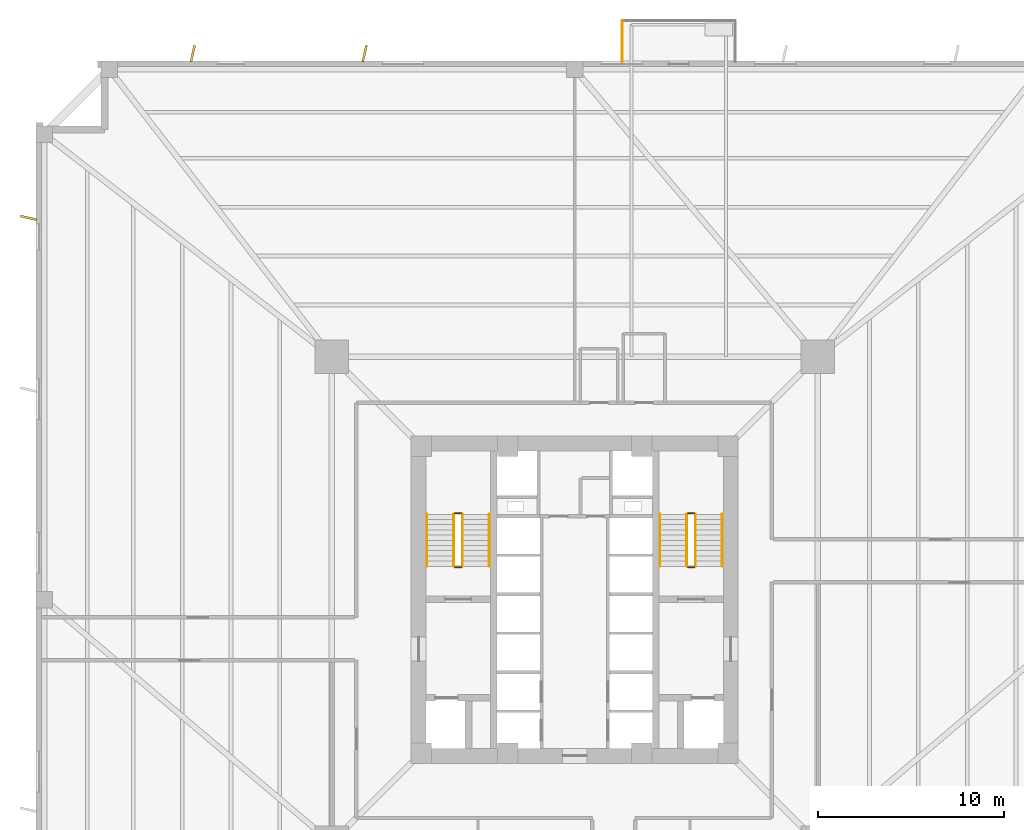
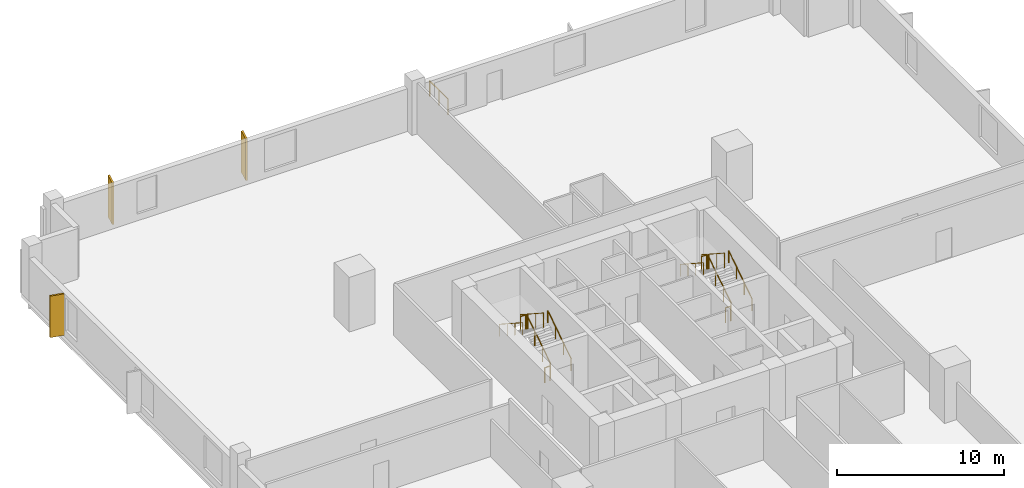
# One storey, part 7 of 8: 13 railings, 3 coverings.
"""IFC4 building model written with IfcOpenShell, lengths in metres."""

from ifc_helpers import new_model, si_unit, direction, frame, origin, origin_2d, place, context, subcontext, project, spatial, rectangle, circle, extrude, source, transform, mapped, material, layer, layer_set, type_object, element, save


model = new_model("IFC4")

# Units and contexts
model_context = context("Model", 3, precision=1e-05, world=origin(), true_north=direction((0.0, 1.0)))
body_context = subcontext(model_context, "Body", "Model", "MODEL_VIEW")
ifc_project = project(units=[si_unit("LENGTHUNIT", "METRE"), si_unit("AREAUNIT", "SQUARE_METRE"), si_unit("VOLUMEUNIT", "CUBIC_METRE"), si_unit("PLANEANGLEUNIT", "RADIAN"), si_unit("MASSUNIT", "GRAM", prefix="KILO"), si_unit("THERMODYNAMICTEMPERATUREUNIT", "KELVIN")], contexts=[model_context])

# Site, building, storey
site_placement = place(None, origin())
site = spatial("IfcSite", under=ifc_project, at=site_placement, CompositionType="ELEMENT")
building_placement = place(site_placement, origin())
building = spatial("IfcBuilding", under=site, at=building_placement, Name="Kosmvard Interchange Tower", CompositionType="ELEMENT")
storey_placement = place(building_placement, frame((0.0, 0.0, 54.0)))
storey = spatial("IfcBuildingStorey", under=building, at=storey_placement, Name="L12", CompositionType="ELEMENT", Elevation=54.0)

# Railing
ifc_material_1 = material(Name="Steel S355", Category="steel")
railing_type_1 = type_object("IfcRailingType", Name="Observation & Balcony Glass-Infill Balustrade 1150", PredefinedType="BALUSTRADE", material=ifc_material_1)
shared_shape_1 = source(origin(), body_context, "Body", "SweptSolid", [
    extrude(circle(Radius=0.02392578125, at=origin_2d()), frame((0.0, 0.0, 1.1259765625), z_axis=(0.0, -1.0, 0.0), x_axis=(1.0, 0.0, 0.0)), (0.0, 0.0, 1.0), 2.199951171875),
    extrude(circle(Radius=0.02099609375, at=origin_2d()), origin(), (0.0, 0.0, 1.0), 1.101806640625),
    extrude(circle(Radius=0.02099609375, at=origin_2d()), frame((0.0, -1.10009765625, 0.0)), (0.0, 0.0, 1.0), 1.101806640625),
    extrude(circle(Radius=0.02099609375, at=origin_2d()), frame((0.0, -2.199951171875, 0.0)), (0.0, 0.0, 1.0), 1.101806640625),
])
railing_placement = place(storey_placement, frame((2.550048828125, 31.14990234375, 0.0)))
element("IfcRailing", 1, at=railing_placement, inside=storey, type_object=railing_type_1, Name="L12 Outdoor Terrace Guard BAL-L12-N-C", PredefinedType="BALUSTRADE", context=body_context, shape_type="MappedRepresentation", body=[
    mapped(shared_shape_1, transform((0.0, 0.0, 0.0), scale=1.0)),
])

# Coverings
ifc_material_2 = material(Name="Architectural anodised aluminium", Category="aluminium")
ifc_layer = layer(ifc_material_2, 0.1201171875, Name="Architectural anodised aluminium")
ifc_layer_set = layer_set([ifc_layer], Name="Architectural anodised aluminium")
covering_type = type_object("IfcCoveringType", Name="Rotating Vertical Sun-Breaker Fin 900x120 Aluminium", PredefinedType="CLADDING", material=ifc_layer_set)
shared_shape_2 = source(origin(), body_context, "Body", "SweptSolid", [
    extrude(rectangle(XDim=0.89990234375, YDim=0.1201171875, at=origin_2d()), origin(), (0.0, 0.0, 1.0), 3.0400390625),
])
for number, where, z_axis, x_axis, name in (
    (2, (-11.3037109375, 29.39990234375, 0.0400390625), (0.0, 0.0, 1.0), (0.222399391499, 0.974955645484, 0.0), "L12 Rotating Vertical Sun-Breaker Fin 11"),
    (3, (-20.552001953125, 29.39990234375, 0.0400390625), (0.0, 0.0, 1.0), (0.222399391499, 0.974955645484, 0.0), "L12 Rotating Vertical Sun-Breaker Fin 12"),
    (4, (-29.39990234375, 20.552001953125, 0.0400390625), (0.0, 0.0, 1.0), (-0.974955645484, 0.222399391499, 0.0), "L12 Rotating Vertical Sun-Breaker Fin 13"),
):
    element("IfcCovering", number, at=place(storey_placement, frame(where, z_axis=z_axis, x_axis=x_axis)), inside=storey, type_object=covering_type, Name=name, PredefinedType="CLADDING", context=body_context, shape_type="MappedRepresentation", body=[
        mapped(shared_shape_2, transform((0.0, 0.0, 0.0), scale=1.0)),
    ])

# Railings
railing_type_2 = type_object("IfcRailingType", Name="Stair & Terrace Safety Guardrail 1100 Steel", PredefinedType="GUARDRAIL", material=ifc_material_1)
shared_shape_3 = source(origin(), body_context, "Body", "SweptSolid", [
    extrude(circle(Radius=0.02392578125, at=origin_2d()), frame((0.0, 0.0, 1.076171875), z_axis=(-1.0, 0.0, 0.0), x_axis=(0.0, -1.0, 0.0)), (0.0, 0.0, 1.0), 0.35986328125),
    extrude(circle(Radius=0.02099609375, at=origin_2d()), origin(), (0.0, 0.0, 1.0), 1.052001953125),
    extrude(circle(Radius=0.02099609375, at=origin_2d()), frame((-0.35986328125, 0.0, 0.0)), (0.0, 0.0, 1.0), 1.052001953125),
])
for number, where, name in (
    (5, (-6.090087890625, 4.64990234375, 2.0), "L12 ST-1 stair guard 2"),
    (6, (-6.090087890625, 1.75, 0.0), "L12 ST-1 stair guard 4"),
    (7, (6.449951171875, 4.64990234375, 2.0), "L12 ST-2 stair guard 2"),
    (8, (6.449951171875, 1.75, 0.0), "L12 ST-2 stair guard 4"),
):
    element("IfcRailing", number, at=place(storey_placement, frame(where)), inside=storey, type_object=railing_type_2, Name=name, PredefinedType="GUARDRAIL", context=body_context, shape_type="MappedRepresentation", body=[
        mapped(shared_shape_3, transform((0.0, 0.0, 0.0), scale=1.0)),
    ])
shared_shape_4 = source(origin(), body_context, "Body", "SweptSolid", [
    extrude(circle(Radius=0.02392578125, at=origin_2d()), frame((0.0, 0.0, 1.076171875), z_axis=(0.0, 0.838705829183, 0.544584733623), x_axis=(-1.0, 0.0, 0.0)), (0.0, 0.0, 1.0), 3.338623046875),
    extrude(circle(Radius=0.02099609375, at=origin_2d()), origin(), (0.0, 0.0, 1.0), 1.052001953125),
    extrude(circle(Radius=0.02099609375, at=origin_2d()), frame((0.0, 0.933349609375, 0.60595703125)), (0.0, 0.0, 1.0), 1.052001953125),
    extrude(circle(Radius=0.02099609375, at=origin_2d()), frame((0.0, 1.86669921875, 1.212158203125)), (0.0, 0.0, 1.0), 1.052001953125),
    extrude(circle(Radius=0.02099609375, at=origin_2d()), frame((0.0, 2.800048828125, 1.818115234375)), (0.0, 0.0, 1.0), 1.052001953125),
])
for number, where, name in (
    (9, (-6.0400390625, 1.800048828125, 0.181884765625), "L12 ST-1 stair guard 1"),
    (10, (6.5, 1.800048828125, 0.181884765625), "L12 ST-2 stair guard 1"),
):
    element("IfcRailing", number, at=place(storey_placement, frame(where)), inside=storey, type_object=railing_type_2, Name=name, PredefinedType="GUARDRAIL", context=body_context, shape_type="MappedRepresentation", body=[
        mapped(shared_shape_4, transform((0.0, 0.0, 0.0), scale=1.0)),
    ])
shared_shape_5 = source(origin(), body_context, "Body", "SweptSolid", [
    extrude(circle(Radius=0.02392578125, at=origin_2d()), frame((0.0, 0.0, 1.076171875), z_axis=(0.0, -0.838705829183, 0.544584733623), x_axis=(1.0, 0.0, 0.0)), (0.0, 0.0, 1.0), 3.338623046875),
    extrude(circle(Radius=0.02099609375, at=origin_2d()), origin(), (0.0, 0.0, 1.0), 1.052001953125),
    extrude(circle(Radius=0.02099609375, at=origin_2d()), frame((0.0, -0.933349609375, 0.60595703125)), (0.0, 0.0, 1.0), 1.052001953125),
    extrude(circle(Radius=0.02099609375, at=origin_2d()), frame((0.0, -1.86669921875, 1.212158203125)), (0.0, 0.0, 1.0), 1.052001953125),
    extrude(circle(Radius=0.02099609375, at=origin_2d()), frame((0.0, -2.800048828125, 1.818115234375)), (0.0, 0.0, 1.0), 1.052001953125),
])
for number, where, name in (
    (11, (-6.5, 4.60009765625, 2.181884765625), "L12 ST-1 stair guard 3"),
    (12, (6.0400390625, 4.60009765625, 2.181884765625), "L12 ST-2 stair guard 3"),
):
    element("IfcRailing", number, at=place(storey_placement, frame(where)), inside=storey, type_object=railing_type_2, Name=name, PredefinedType="GUARDRAIL", context=body_context, shape_type="MappedRepresentation", body=[
        mapped(shared_shape_5, transform((0.0, 0.0, 0.0), scale=1.0)),
    ])
railing_type_3 = type_object("IfcRailingType", Name="Wall-Mounted Stair Handrail 900 Steel", PredefinedType="HANDRAIL", material=ifc_material_1)
shared_shape_6 = source(origin(), body_context, "Body", "SweptSolid", [
    extrude(circle(Radius=0.02392578125, at=origin_2d()), frame((0.0, 0.0, 0.8759765625), z_axis=(0.0, 0.838705829183, 0.544584733623), x_axis=(-1.0, 0.0, 0.0)), (0.0, 0.0, 1.0), 3.338623046875),
    extrude(circle(Radius=0.02099609375, at=origin_2d()), origin(), (0.0, 0.0, 1.0), 0.851806640625),
    extrude(circle(Radius=0.02099609375, at=origin_2d()), frame((0.0, 0.933349609375, 0.60595703125)), (0.0, 0.0, 1.0), 0.851806640625),
    extrude(circle(Radius=0.02099609375, at=origin_2d()), frame((0.0, 1.86669921875, 1.212158203125)), (0.0, 0.0, 1.0), 0.851806640625),
    extrude(circle(Radius=0.02099609375, at=origin_2d()), frame((0.0, 2.800048828125, 1.818115234375)), (0.0, 0.0, 1.0), 0.851806640625),
])
for number, where, name in (
    (13, (-4.590087890625, 1.800048828125, 0.181884765625), "L12 ST-1 stair handrail 1"),
    (14, (7.949951171875, 1.800048828125, 0.181884765625), "L12 ST-2 stair handrail 1"),
):
    element("IfcRailing", number, at=place(storey_placement, frame(where)), inside=storey, type_object=railing_type_3, Name=name, PredefinedType="HANDRAIL", context=body_context, shape_type="MappedRepresentation", body=[
        mapped(shared_shape_6, transform((0.0, 0.0, 0.0), scale=1.0)),
    ])
shared_shape_7 = source(origin(), body_context, "Body", "SweptSolid", [
    extrude(circle(Radius=0.02392578125, at=origin_2d()), frame((0.0, 0.0, 0.8759765625), z_axis=(0.0, -0.838705829183, 0.544584733623), x_axis=(1.0, 0.0, 0.0)), (0.0, 0.0, 1.0), 3.338623046875),
    extrude(circle(Radius=0.02099609375, at=origin_2d()), origin(), (0.0, 0.0, 1.0), 0.851806640625),
    extrude(circle(Radius=0.02099609375, at=origin_2d()), frame((0.0, -0.933349609375, 0.60595703125)), (0.0, 0.0, 1.0), 0.851806640625),
    extrude(circle(Radius=0.02099609375, at=origin_2d()), frame((0.0, -1.86669921875, 1.212158203125)), (0.0, 0.0, 1.0), 0.851806640625),
    extrude(circle(Radius=0.02099609375, at=origin_2d()), frame((0.0, -2.800048828125, 1.818115234375)), (0.0, 0.0, 1.0), 0.851806640625),
])
for number, where, name in (
    (15, (-7.949951171875, 4.60009765625, 2.181884765625), "L12 ST-1 stair handrail 2"),
    (16, (4.590087890625, 4.60009765625, 2.181884765625), "L12 ST-2 stair handrail 2"),
):
    element("IfcRailing", number, at=place(storey_placement, frame(where)), inside=storey, type_object=railing_type_3, Name=name, PredefinedType="HANDRAIL", context=body_context, shape_type="MappedRepresentation", body=[
        mapped(shared_shape_7, transform((0.0, 0.0, 0.0), scale=1.0)),
    ])

save(model, "model.ifc")
